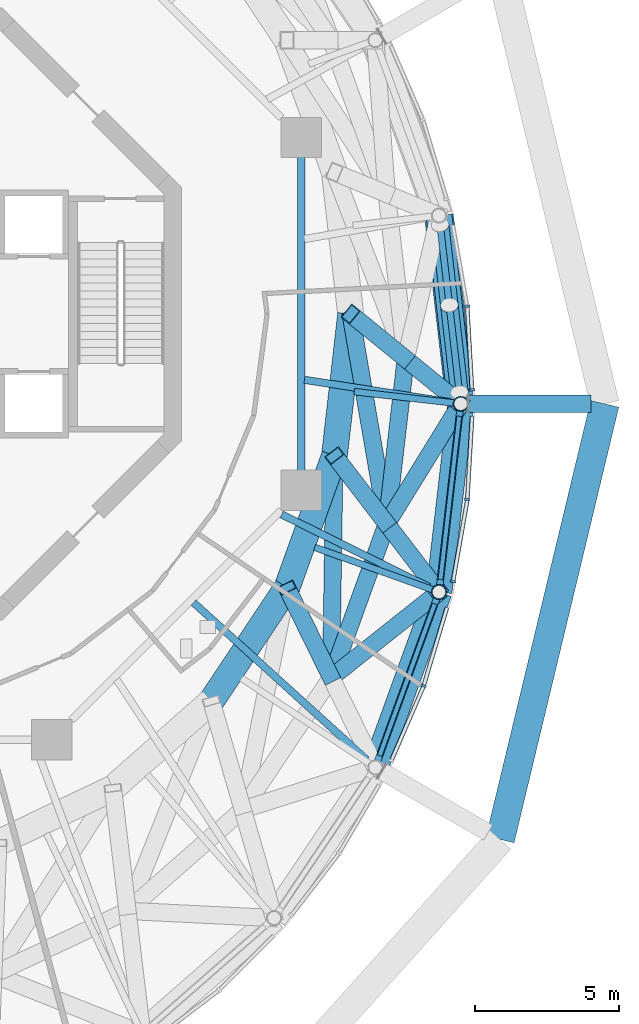
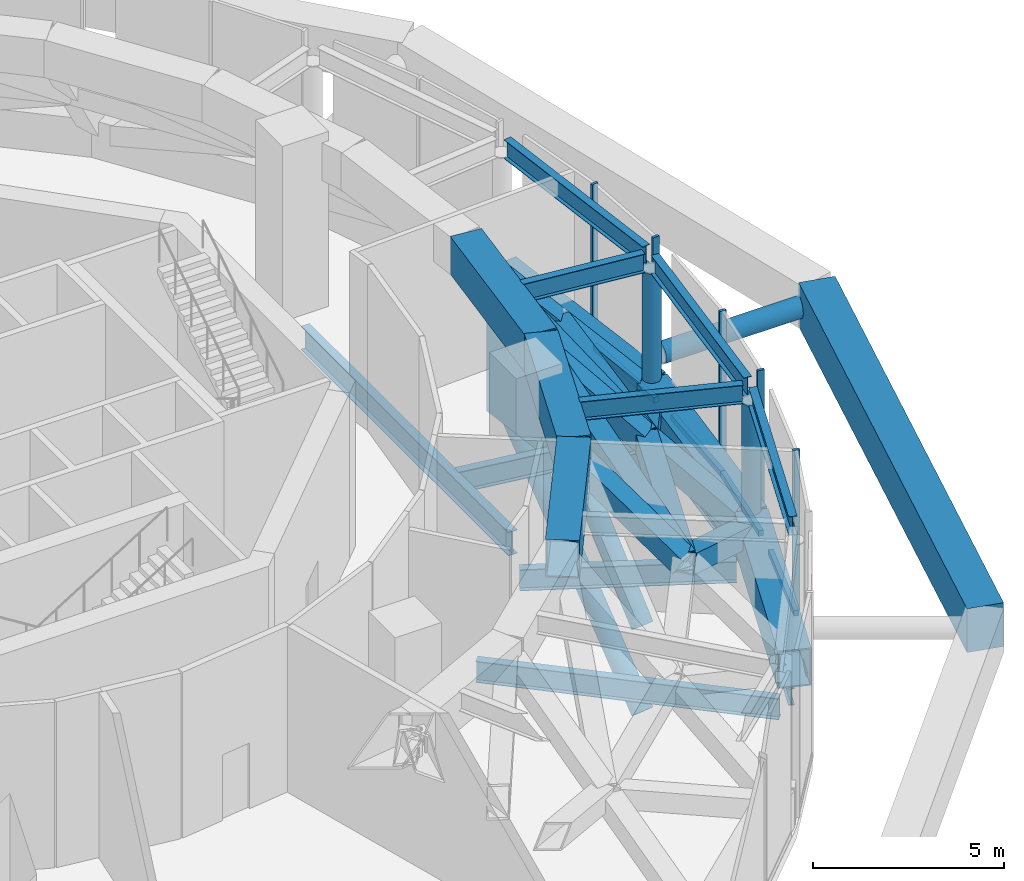
# One storey, part 6 of 22: 29 beams, 16 members, 6 elements without a shape of their own.
"""IFC4 building model written with IfcOpenShell, lengths in metres."""

from ifc_helpers import new_model, si_unit, direction, frame, origin, origin_2d, place, context, subcontext, project, spatial, rectangle, hollow_rectangle, hollow_circle, i_section, extrude, material, layer, layer_set, material_profile, profile_set, type_object, element, aggregate, save


model = new_model("IFC4")

# Units and contexts
model_context = context("Model", 3, precision=1e-05, world=origin(), true_north=direction((0.0, 1.0)))
body_context = subcontext(model_context, "Body", "Model", "MODEL_VIEW")
ifc_project = project(units=[si_unit("LENGTHUNIT", "METRE"), si_unit("AREAUNIT", "SQUARE_METRE"), si_unit("VOLUMEUNIT", "CUBIC_METRE"), si_unit("PLANEANGLEUNIT", "RADIAN"), si_unit("MASSUNIT", "GRAM", prefix="KILO")], contexts=[model_context])

# Site, building, storey
site_placement = place(None, origin())
site = spatial("IfcSite", under=ifc_project, at=site_placement, CompositionType="ELEMENT")
building_placement = place(site_placement, origin())
building = spatial("IfcBuilding", under=site, at=building_placement, Name="Nagisa Residences", CompositionType="ELEMENT")
storey_placement = place(building_placement, frame((0.0, 0.0, 310.300048828125)))
storey = spatial("IfcBuildingStorey", under=building, at=storey_placement, Name="L77", CompositionType="ELEMENT", Elevation=310.300048828125)

# Beams
ifc_material_1 = material(Name="Steel ASTM A572 Gr 50", Category="steel")
ifc_material_profile_1 = material_profile(ifc_material_1, hollow_rectangle(XDim=0.60009765625, YDim=0.60009765625, WallThickness=0.034912109375, at=origin_2d()), Name="BX 600x600x35")
ifc_profile_set_1 = profile_set([ifc_material_profile_1], Name="Steel ASTM A572 Gr 50")
beam_type_1 = type_object("IfcBeamType", Name="Belt chord 6 BX 600x600x35", PredefinedType="BEAM", material=ifc_profile_set_1)
beam_1_placement = place(storey_placement, frame((15.822998046875, -12.618896484375, 2.64990234375), z_axis=(0.340025147767, 0.940416343375, 0.0), x_axis=(-0.940416343375, 0.340025147767, 0.0)))
element("IfcBeam", 1, at=beam_1_placement, inside=storey, type_object=beam_type_1, Name="beam:L77:bt6m23", PredefinedType="BEAM", context=body_context, shape_type="SweptSolid", body=[
    extrude(hollow_rectangle(XDim=0.60009765625, YDim=0.60009765625, WallThickness=0.034912109375, at=origin_2d()), origin(), (0.0, 0.0, 1.0), 5.673095703125),
])
beam_2_placement = place(storey_placement, frame((17.751953125, -7.283935546875, 2.64990234375), z_axis=(0.114173851429, 0.99346078516, 0.0), x_axis=(-0.99346078516, 0.114173851429, 0.0)))
element("IfcBeam", 2, at=beam_2_placement, inside=storey, type_object=beam_type_1, Name="beam:L77:bt6m24", PredefinedType="BEAM", context=body_context, shape_type="SweptSolid", body=[
    extrude(hollow_rectangle(XDim=0.60009765625, YDim=0.60009765625, WallThickness=0.034912109375, at=origin_2d()), origin(), (0.0, 0.0, 1.0), 5.7626953125),
])
ifc_material_2 = material(Name="Steel ASTM A572 Gr 50", Category="steel")
ifc_material_profile_2 = material_profile(ifc_material_2, hollow_rectangle(XDim=0.89990234375, YDim=1.199951171875, WallThickness=0.0400390625, at=origin_2d()), Name="BX 900x1200x40")
ifc_profile_set_2 = profile_set([ifc_material_profile_2], Name="Steel ASTM A572 Gr 50")
beam_type_2 = type_object("IfcBeamType", Name="Belt chord 6 BX 900x1200x40", PredefinedType="BEAM", material=ifc_profile_set_2)
beam_3_placement = place(storey_placement, frame((20.320068359375, -3.11767578125, 0.599853515625), z_axis=(-0.114648064328, 0.993406171385, 0.0), x_axis=(-0.993406171385, -0.114648064328, 0.0)))
element("IfcBeam", 3, at=beam_3_placement, inside=storey, type_object=beam_type_2, Name="beam:L77:bt6b01", PredefinedType="BEAM", context=body_context, shape_type="SweptSolid", body=[
    extrude(hollow_rectangle(XDim=0.89990234375, YDim=1.199951171875, WallThickness=0.0400390625, at=origin_2d()), origin(), (0.0, 0.0, 1.0), 6.575927734375),
])
beam_4_placement = place(storey_placement, frame((11.667236328125, -13.43505859375, 4.699951171875), z_axis=(0.554509546669, 0.832177362497, 0.0), x_axis=(-0.832177362497, 0.554509546669, 0.0)))
element("IfcBeam", 4, at=beam_4_placement, inside=storey, type_object=beam_type_2, Name="beam:L77:bt6t22", PredefinedType="BEAM", context=body_context, shape_type="SweptSolid", body=[
    extrude(hollow_rectangle(XDim=0.89990234375, YDim=1.199951171875, WallThickness=0.0400390625, at=origin_2d()), origin(), (0.0, 0.0, 1.0), 4.728515625),
])
beam_5_placement = place(storey_placement, frame((17.3564453125, -15.73779296875, 0.599853515625), z_axis=(0.341213297121, 0.939985896632, 0.0), x_axis=(-0.939985896632, 0.341213297121, 0.0)))
element("IfcBeam", 5, at=beam_5_placement, inside=storey, type_object=beam_type_2, Name="beam:L77:bt6b23", PredefinedType="BEAM", context=body_context, shape_type="SweptSolid", body=[
    extrude(hollow_rectangle(XDim=0.89990234375, YDim=1.199951171875, WallThickness=0.0400390625, at=origin_2d()), origin(), (0.0, 0.0, 1.0), 6.47607421875),
])
beam_6_placement = place(storey_placement, frame((14.289306640625, -9.5, 4.699951171875), z_axis=(0.338488682224, 0.940970462877, 0.0), x_axis=(-0.940970462877, 0.338488682224, 0.0)))
element("IfcBeam", 6, at=beam_6_placement, inside=storey, type_object=beam_type_2, Name="beam:L77:bt6t23", PredefinedType="BEAM", context=body_context, shape_type="SweptSolid", body=[
    extrude(hollow_rectangle(XDim=0.89990234375, YDim=1.199951171875, WallThickness=0.0400390625, at=origin_2d()), origin(), (0.0, 0.0, 1.0), 4.869873046875),
])
beam_7_placement = place(storey_placement, frame((19.566162109375, -9.650390625, 0.599853515625), z_axis=(0.114643836016, 0.993406659361, 0.0), x_axis=(-0.993406659361, 0.114643836016, 0.0)))
element("IfcBeam", 7, at=beam_7_placement, inside=storey, type_object=beam_type_2, Name="beam:L77:bt6b24", PredefinedType="BEAM", context=body_context, shape_type="SweptSolid", body=[
    extrude(hollow_rectangle(XDim=0.89990234375, YDim=1.199951171875, WallThickness=0.0400390625, at=origin_2d()), origin(), (0.0, 0.0, 1.0), 6.576171875),
])
beam_8_placement = place(storey_placement, frame((15.937744140625, -4.91748046875, 4.699951171875), z_axis=(0.113598063475, 0.993526788756, 0.0), x_axis=(-0.993526788756, 0.113598063475, 0.0)))
element("IfcBeam", 8, at=beam_8_placement, inside=storey, type_object=beam_type_2, Name="beam:L77:bt6t24", PredefinedType="BEAM", context=body_context, shape_type="SweptSolid", body=[
    extrude(hollow_rectangle(XDim=0.89990234375, YDim=1.199951171875, WallThickness=0.0400390625, at=origin_2d()), origin(), (0.0, 0.0, 1.0), 4.949462890625),
])
ifc_material_3 = material(Name="Steel ASTM A572 Gr 50", Category="steel")
ifc_material_profile_3 = material_profile(ifc_material_3, hollow_rectangle(XDim=0.60009765625, YDim=0.60009765625, WallThickness=0.034912109375, at=origin_2d()), Name="BX 600x600x35")
ifc_profile_set_3 = profile_set([ifc_material_profile_3], Name="Steel ASTM A572 Gr 50")
beam_type_3 = type_object("IfcBeamType", Name="Belt diagonal 6 BX 600x600x35", PredefinedType="BEAM", material=ifc_profile_set_3)
beam_9_placement = place(storey_placement, frame((20.320068359375, -3.11767578125, 0.599853515625), z_axis=(-0.595721594432, 0.486155723472, 0.639349978073), x_axis=(-0.632261273811, -0.774755239827, 0.0)))
element("IfcBeam", 9, at=beam_9_placement, inside=storey, type_object=beam_type_3, Name="beam:L77:bt6la01", PredefinedType="BEAM", context=body_context, shape_type="SweptSolid", body=[
    extrude(hollow_rectangle(XDim=0.60009765625, YDim=0.60009765625, WallThickness=0.034912109375, at=origin_2d()), origin(), (0.0, 0.0, 1.0), 3.20654296875),
])
beam_10_placement = place(storey_placement, frame((18.409912109375, -1.558837890625, 2.64990234375), z_axis=(-0.59567247179, 0.486177774815, 0.639378978093), x_axis=(-0.632309782441, -0.774715650436, 0.0)))
element("IfcBeam", 10, at=beam_10_placement, inside=storey, type_object=beam_type_3, Name="beam:L77:bt6ua01", PredefinedType="BEAM", context=body_context, shape_type="SweptSolid", body=[
    extrude(hollow_rectangle(XDim=0.60009765625, YDim=0.60009765625, WallThickness=0.034912109375, at=origin_2d()), origin(), (0.0, 0.0, 1.0), 3.206298828125),
])
beam_11_placement = place(storey_placement, frame((19.566162109375, -9.650390625, 0.599853515625), z_axis=(-0.720025605038, -0.571014305482, 0.39434222577), x_axis=(0.6213676668, -0.783519127179, 0.0)))
element("IfcBeam", 11, at=beam_11_placement, inside=storey, type_object=beam_type_3, Name="beam:L77:bt6lb23", PredefinedType="BEAM", context=body_context, shape_type="SweptSolid", body=[
    extrude(hollow_rectangle(XDim=0.60009765625, YDim=0.60009765625, WallThickness=0.034912109375, at=origin_2d()), origin(), (0.0, 0.0, 1.0), 5.19873046875),
])
beam_12_placement = place(storey_placement, frame((15.822998046875, -12.618896484375, 2.64990234375), z_axis=(-0.380082998374, 0.772932235629, 0.508047904703), x_axis=(-0.897371854629, -0.441275146049, 0.0)))
element("IfcBeam", 12, at=beam_12_placement, inside=storey, type_object=beam_type_3, Name="beam:L77:bt6ua23", PredefinedType="BEAM", context=body_context, shape_type="SweptSolid", body=[
    extrude(hollow_rectangle(XDim=0.60009765625, YDim=0.60009765625, WallThickness=0.034912109375, at=origin_2d()), origin(), (0.0, 0.0, 1.0), 4.03515625),
])
beam_13_placement = place(storey_placement, frame((15.822998046875, -12.618896484375, 2.64990234375), z_axis=(0.014396483626, 0.966249097807, 0.257206963838), x_axis=(-0.999889023159, 0.014897696652, 0.0)))
element("IfcBeam", 13, at=beam_13_placement, inside=storey, type_object=beam_type_3, Name="beam:L77:bt6ub23", PredefinedType="BEAM", context=body_context, shape_type="SweptSolid", body=[
    extrude(hollow_rectangle(XDim=0.60009765625, YDim=0.60009765625, WallThickness=0.034912109375, at=origin_2d()), origin(), (0.0, 0.0, 1.0), 7.970458984375),
])
beam_14_placement = place(storey_placement, frame((19.566162109375, -9.650390625, 0.599853515625), z_axis=(-0.501358548223, 0.653972333189, 0.566533135436), x_axis=(-0.793618221328, -0.608416073732, 0.0)))
element("IfcBeam", 14, at=beam_14_placement, inside=storey, type_object=beam_type_3, Name="beam:L77:bt6la24", PredefinedType="BEAM", context=body_context, shape_type="SweptSolid", body=[
    extrude(hollow_rectangle(XDim=0.60009765625, YDim=0.60009765625, WallThickness=0.034912109375, at=origin_2d()), origin(), (0.0, 0.0, 1.0), 3.61865234375),
])
beam_15_placement = place(storey_placement, frame((20.320068359375, -3.11767578125, 0.599853515625), z_axis=(-0.483984922546, -0.785169949923, 0.386350546118), x_axis=(0.851269287429, -0.524729073218, 0.0)))
element("IfcBeam", 15, at=beam_15_placement, inside=storey, type_object=beam_type_3, Name="beam:L77:bt6lb24", PredefinedType="BEAM", context=body_context, shape_type="SweptSolid", body=[
    extrude(hollow_rectangle(XDim=0.60009765625, YDim=0.60009765625, WallThickness=0.034912109375, at=origin_2d()), origin(), (0.0, 0.0, 1.0), 5.30615234375),
])
beam_16_placement = place(storey_placement, frame((17.751953125, -7.283935546875, 2.64990234375), z_axis=(-0.501358548223, 0.653972333189, 0.566533135436), x_axis=(-0.793618221328, -0.608416073732, 0.0)))
element("IfcBeam", 16, at=beam_16_placement, inside=storey, type_object=beam_type_3, Name="beam:L77:bt6ua24", PredefinedType="BEAM", context=body_context, shape_type="SweptSolid", body=[
    extrude(hollow_rectangle(XDim=0.60009765625, YDim=0.60009765625, WallThickness=0.034912109375, at=origin_2d()), origin(), (0.0, 0.0, 1.0), 3.61865234375),
])
beam_17_placement = place(storey_placement, frame((17.751953125, -7.283935546875, 2.64990234375), z_axis=(-0.163231560758, 0.949690642591, 0.267288497598), x_axis=(-0.985548287585, -0.169394724945, 0.0)))
element("IfcBeam", 17, at=beam_17_placement, inside=storey, type_object=beam_type_3, Name="beam:L77:bt6ub24", PredefinedType="BEAM", context=body_context, shape_type="SweptSolid", body=[
    extrude(hollow_rectangle(XDim=0.60009765625, YDim=0.60009765625, WallThickness=0.034912109375, at=origin_2d()), origin(), (0.0, 0.0, 1.0), 7.669677734375),
])

# Curtain wall, member
ifc_material_4 = material(Name="Aluminium curtain wall system", Category="aluminium")
ifc_layer = layer(ifc_material_4, 0.159912109375)
ifc_layer_set = layer_set([ifc_layer], Name="CW2 CURTAIN WALL")
curtain_wall_type = type_object("IfcCurtainWallType", Name="CW2 CURTAIN WALL", PredefinedType="NOTDEFINED", material=ifc_layer_set)
curtain_wall_1_placement = place(storey_placement, origin())
curtain_wall_1 = element("IfcCurtainWall", 18, at=curtain_wall_1_placement, inside=storey, type_object=curtain_wall_type, Name="cw:CW2:L77:00", PredefinedType="NOTDEFINED")
ifc_material_5 = material(Name="Aluminium", Category="aluminium")
ifc_material_profile_4 = material_profile(ifc_material_5, rectangle(XDim=0.199951171875, YDim=0.080078125, at=origin_2d()), Name="CW2 MULLION 200x80")
ifc_profile_set_4 = profile_set([ifc_material_profile_4], Name="Aluminium")
member_type_1 = type_object("IfcMemberType", Name="CW2 MULLION 200x80", PredefinedType="MULLION", material=ifc_profile_set_4)
member_1_placement = place(storey_placement, frame((20.7119140625, -2.633056640625, 0.0), z_axis=(0.0, 0.0, 1.0), x_axis=(-0.998345305184, -0.057503492216, 0.0)))
member_1 = element("IfcMember", 19, at=member_1_placement, type_object=member_type_1, Name="CW2 mullion", PredefinedType="MULLION", context=body_context, shape_type="SweptSolid", body=[
    extrude(rectangle(XDim=0.199951171875, YDim=0.080078125, at=origin_2d()), origin(), (0.0, 0.0, 1.0), 5.300048828125),
])

curtain_wall_2_placement = place(storey_placement, origin())
curtain_wall_2 = element("IfcCurtainWall", 20, at=curtain_wall_2_placement, inside=storey, type_object=curtain_wall_type, Name="cw:CW2:L77:01", PredefinedType="NOTDEFINED")
member_2_placement = place(storey_placement, frame((20.540771484375, 0.267578125, 0.0), z_axis=(0.0, 0.0, 1.0), x_axis=(-0.985063604377, -0.172190868898, 0.0)))
member_2 = element("IfcMember", 21, at=member_2_placement, type_object=member_type_1, Name="CW2 mullion", PredefinedType="MULLION", context=body_context, shape_type="SweptSolid", body=[
    extrude(rectangle(XDim=0.199951171875, YDim=0.080078125, at=origin_2d()), origin(), (0.0, 0.0, 1.0), 5.300048828125),
])
aggregate(curtain_wall_2, [member_2])

curtain_wall_3_placement = place(storey_placement, origin())
curtain_wall_3 = element("IfcCurtainWall", 22, at=curtain_wall_3_placement, inside=storey, type_object=curtain_wall_type, Name="cw:CW2:L77:45", PredefinedType="NOTDEFINED")
member_3_placement = place(storey_placement, frame((19.032958984375, -12.90673828125, 0.0), z_axis=(0.0, 0.0, 1.0), x_axis=(-0.958271310082, 0.285860274038, 0.0)))
member_3 = element("IfcMember", 23, at=member_3_placement, type_object=member_type_1, Name="CW2 mullion", PredefinedType="MULLION", context=body_context, shape_type="SweptSolid", body=[
    extrude(rectangle(XDim=0.199951171875, YDim=0.080078125, at=origin_2d()), origin(), (0.0, 0.0, 1.0), 5.300048828125),
])

curtain_wall_4_placement = place(storey_placement, origin())
curtain_wall_4 = element("IfcCurtainWall", 24, at=curtain_wall_4_placement, inside=storey, type_object=curtain_wall_type, Name="cw:CW2:L77:46", PredefinedType="NOTDEFINED")
member_4_placement = place(storey_placement, frame((20.054931640625, -9.283203125, 0.0), z_axis=(0.0, 0.0, 1.0), x_axis=(-0.985063604377, 0.172190868898, 0.0)))
member_4 = element("IfcMember", 25, at=member_4_placement, type_object=member_type_1, Name="CW2 mullion", PredefinedType="MULLION", context=body_context, shape_type="SweptSolid", body=[
    extrude(rectangle(XDim=0.199951171875, YDim=0.080078125, at=origin_2d()), origin(), (0.0, 0.0, 1.0), 5.300048828125),
])

curtain_wall_5_placement = place(storey_placement, origin())
curtain_wall_5 = element("IfcCurtainWall", 26, at=curtain_wall_5_placement, inside=storey, type_object=curtain_wall_type, Name="cw:CW2:L77:47", PredefinedType="NOTDEFINED")
member_5_placement = place(storey_placement, frame((20.548828125, -6.432861328125, 0.0), z_axis=(0.0, 0.0, 1.0), x_axis=(-0.998345305184, 0.057503492216, 0.0)))
member_5 = element("IfcMember", 27, at=member_5_placement, type_object=member_type_1, Name="CW2 mullion", PredefinedType="MULLION", context=body_context, shape_type="SweptSolid", body=[
    extrude(rectangle(XDim=0.199951171875, YDim=0.080078125, at=origin_2d()), origin(), (0.0, 0.0, 1.0), 5.300048828125),
])

# Member
ifc_material_6 = material(Name="Aluminium", Category="aluminium")
ifc_material_profile_5 = material_profile(ifc_material_6, rectangle(XDim=0.139892578125, YDim=0.179931640625, at=origin_2d()), Name="CW2 TRANSOM 140x180")
ifc_profile_set_5 = profile_set([ifc_material_profile_5], Name="Aluminium")
member_type_2 = type_object("IfcMemberType", Name="CW2 TRANSOM 140x180", PredefinedType="USERDEFINED", material=ifc_profile_set_5)
member_6_placement = place(storey_placement, frame((20.71435546875, -2.673095703125, 0.08984375), z_axis=(-0.057529123486, 0.998343828524, 0.0), x_axis=(-0.998343828524, -0.057529123486, 0.0)))
member_6 = element("IfcMember", 28, at=member_6_placement, type_object=member_type_2, Name="CW2 transom", ObjectType="TRANSOM", PredefinedType="USERDEFINED", context=body_context, shape_type="SweptSolid", body=[
    extrude(rectangle(XDim=0.139892578125, YDim=0.179931640625, at=origin_2d()), origin(), (0.0, 0.0, 1.0), 2.91552734375),
])

aggregate(curtain_wall_1, [member_1, member_6])

# Curtain wall, member
curtain_wall_6_placement = place(storey_placement, origin())
curtain_wall_6 = element("IfcCurtainWall", 29, at=curtain_wall_6_placement, inside=storey, type_object=curtain_wall_type, Name="cw:CW2:L77:44", PredefinedType="NOTDEFINED")
member_7_placement = place(storey_placement, frame((17.89501953125, -15.54296875, 0.08984375), z_axis=(0.397597791596, 0.9175598052, 0.0), x_axis=(-0.9175598052, 0.397597791596, 0.0)))
member_7 = element("IfcMember", 30, at=member_7_placement, type_object=member_type_2, Name="CW2 transom", ObjectType="TRANSOM", PredefinedType="USERDEFINED", context=body_context, shape_type="SweptSolid", body=[
    extrude(rectangle(XDim=0.139892578125, YDim=0.179931640625, at=origin_2d()), origin(), (0.0, 0.0, 1.0), 2.841064453125),
])
aggregate(curtain_wall_6, [member_7])

# Member
member_8_placement = place(storey_placement, frame((19.021484375, -12.945068359375, 0.08984375), z_axis=(0.285876209024, 0.9582665564, 0.0), x_axis=(-0.9582665564, 0.285876209024, 0.0)))
member_8 = element("IfcMember", 31, at=member_8_placement, type_object=member_type_2, Name="CW2 transom", ObjectType="TRANSOM", PredefinedType="USERDEFINED", context=body_context, shape_type="SweptSolid", body=[
    extrude(rectangle(XDim=0.139892578125, YDim=0.179931640625, at=origin_2d()), origin(), (0.0, 0.0, 1.0), 2.877197265625),
])

aggregate(curtain_wall_3, [member_3, member_8])

member_9_placement = place(storey_placement, frame((20.0478515625, -9.32275390625, 0.08984375), z_axis=(0.172182411767, 0.985065082661, 0.0), x_axis=(-0.985065082661, 0.172182411767, 0.0)))
member_9 = element("IfcMember", 32, at=member_9_placement, type_object=member_type_2, Name="CW2 transom", ObjectType="TRANSOM", PredefinedType="USERDEFINED", context=body_context, shape_type="SweptSolid", body=[
    extrude(rectangle(XDim=0.139892578125, YDim=0.179931640625, at=origin_2d()), origin(), (0.0, 0.0, 1.0), 2.902587890625),
])

aggregate(curtain_wall_4, [member_4, member_9])

member_10_placement = place(storey_placement, frame((20.546630859375, -6.472900390625, 0.08984375), z_axis=(0.057529123486, 0.998343828524, 0.0), x_axis=(-0.998343828524, 0.057529123486, 0.0)))
member_10 = element("IfcMember", 33, at=member_10_placement, type_object=member_type_2, Name="CW2 transom", ObjectType="TRANSOM", PredefinedType="USERDEFINED", context=body_context, shape_type="SweptSolid", body=[
    extrude(rectangle(XDim=0.139892578125, YDim=0.179931640625, at=origin_2d()), origin(), (0.0, 0.0, 1.0), 2.91552734375),
])

aggregate(curtain_wall_5, [member_5, member_10])

# Members
ifc_material_7 = material(Name="Concrete C80", Category="concrete")
ifc_material_profile_6 = material_profile(ifc_material_7, rectangle(XDim=1.0, YDim=1.39990234375, at=origin_2d()), Name="C80 1000x1400")
ifc_profile_set_6 = profile_set([ifc_material_profile_6], Name="Concrete C80")
member_type_3 = type_object("IfcMemberType", Name="Cage ring 6 C80 1000x1400", PredefinedType="CHORD", material=ifc_profile_set_6)
member_11_placement = place(storey_placement, frame((21.6865234375, -18.23779296875, 1.89990234375), z_axis=(0.233659742288, 0.972318427694, 0.0), x_axis=(-0.972318427694, 0.233659742288, 0.0)))
element("IfcMember", 34, at=member_11_placement, inside=storey, type_object=member_type_3, Name="beam:L77:cg6r112", PredefinedType="CHORD", context=body_context, shape_type="SweptSolid", body=[
    extrude(rectangle(XDim=1.0, YDim=1.39990234375, at=origin_2d()), origin(), (0.0, 0.0, 1.0), 15.550537109375),
])
ifc_material_8 = material(Name="Steel ASTM A572 Gr 65", Category="steel")
ifc_material_profile_7 = material_profile(ifc_material_8, hollow_circle(Radius=0.304931640625, WallThickness=0.02490234375, at=origin_2d()), Name="CHS 610x25")
ifc_profile_set_7 = profile_set([ifc_material_profile_7], Name="Steel ASTM A572 Gr 65")
member_type_4 = type_object("IfcMemberType", Name="Cage strut CHS 610x25", PredefinedType="STRUT", material=ifc_profile_set_7)
member_12_placement = place(storey_placement, frame((24.840087890625, -3.11767578125, 1.89990234375), z_axis=(-1.0, 0.0, 0.0), x_axis=(0.0, -1.0, 0.0)))
element("IfcMember", 35, at=member_12_placement, inside=storey, type_object=member_type_4, Name="mem:L77:cg6tie01", PredefinedType="STRUT", context=body_context, shape_type="SweptSolid", body=[
    extrude(hollow_circle(Radius=0.304931640625, WallThickness=0.02490234375, at=origin_2d()), origin(), (0.0, 0.0, 1.0), 4.24609375),
])

# Beams
ifc_material_9 = material(Name="Steel ASTM A572 Gr 50", Category="steel")
ifc_material_profile_8 = material_profile(ifc_material_9, i_section(OverallWidth=0.22802734375, OverallDepth=0.60302734375, WebThickness=0.010498046875, FlangeThickness=0.014892578125, at=origin_2d()), Name="W610x101")
ifc_profile_set_8 = profile_set([ifc_material_profile_8], Name="Steel ASTM A572 Gr 50")
beam_type_4 = type_object("IfcBeamType", Name="Garden edge beam W610x101", PredefinedType="BEAM", material=ifc_profile_set_8)
beam_18_placement = place(storey_placement, frame((20.293212890625, -2.88525390625, 4.99853515625), z_axis=(-0.114637762413, 0.993407360265, 0.0), x_axis=(-0.993407360265, -0.114637762413, 0.0)))
element("IfcBeam", 36, at=beam_18_placement, inside=storey, type_object=beam_type_4, Name="beam:L77:bt6ge01", PredefinedType="BEAM", context=body_context, shape_type="SweptSolid", body=[
    extrude(i_section(OverallWidth=0.22802734375, OverallDepth=0.60302734375, WebThickness=0.010498046875, FlangeThickness=0.014892578125, at=origin_2d()), origin(), (0.0, 0.0, 1.0), 6.10791015625),
])
beam_19_placement = place(storey_placement, frame((17.436279296875, -15.517822265625, 4.99853515625), z_axis=(0.341217712113, 0.939984293986, 0.0), x_axis=(-0.939984293986, 0.341217712113, 0.0)))
element("IfcBeam", 37, at=beam_19_placement, inside=storey, type_object=beam_type_4, Name="beam:L77:bt6ge23", PredefinedType="BEAM", context=body_context, shape_type="SweptSolid", body=[
    extrude(i_section(OverallWidth=0.22802734375, OverallDepth=0.60302734375, WebThickness=0.010498046875, FlangeThickness=0.014892578125, at=origin_2d()), origin(), (0.0, 0.0, 1.0), 6.008056640625),
])
beam_20_placement = place(storey_placement, frame((19.593017578125, -9.417724609375, 4.99853515625), z_axis=(0.114637762413, 0.993407360265, 0.0), x_axis=(-0.993407360265, 0.114637762413, 0.0)))
element("IfcBeam", 38, at=beam_20_placement, inside=storey, type_object=beam_type_4, Name="beam:L77:bt6ge24", PredefinedType="BEAM", context=body_context, shape_type="SweptSolid", body=[
    extrude(i_section(OverallWidth=0.22802734375, OverallDepth=0.60302734375, WebThickness=0.010498046875, FlangeThickness=0.014892578125, at=origin_2d()), origin(), (0.0, 0.0, 1.0), 6.10791015625),
])

# Members
ifc_material_10 = material(Name="Steel ASTM A572 Gr 65", Category="steel")
ifc_material_profile_9 = material_profile(ifc_material_10, hollow_circle(Radius=0.25390625, WallThickness=0.02001953125, at=origin_2d()), Name="CHS 508x20")
ifc_profile_set_9 = profile_set([ifc_material_profile_9], Name="Steel ASTM A572 Gr 65")
member_type_5 = type_object("IfcMemberType", Name="Garden edge post CHS 508x20", PredefinedType="POST", material=ifc_profile_set_9)
for number, where, z_axis, x_axis, name in (
    (39, (20.320068359375, -3.11767578125, 1.199951171875), (0.0, 0.0, 1.0), (1.0, 0.0, 0.0), "mem:L77:gp601"),
    (40, (19.566162109375, -9.650390625, 1.199951171875), (0.0, 0.0, 1.0), (1.0, 0.0, 0.0), "mem:L77:gp624"),
):
    element("IfcMember", number, at=place(storey_placement, frame(where, z_axis=z_axis, x_axis=x_axis)), inside=storey, type_object=member_type_5, Name=name, PredefinedType="POST", context=body_context, shape_type="SweptSolid", body=[
        extrude(hollow_circle(Radius=0.25390625, WallThickness=0.02001953125, at=origin_2d()), origin(), (0.0, 0.0, 1.0), 3.4970703125),
    ])

# Beams
ifc_material_11 = material(Name="Steel ASTM A572 Gr 50", Category="steel")
ifc_material_profile_10 = material_profile(ifc_material_11, i_section(OverallWidth=0.22802734375, OverallDepth=0.60302734375, WebThickness=0.010498046875, FlangeThickness=0.014892578125, at=origin_2d()), Name="W610x101")
ifc_profile_set_10 = profile_set([ifc_material_profile_10], Name="Steel ASTM A572 Gr 50")
beam_type_5 = type_object("IfcBeamType", Name="Garden radial beam W610x101", PredefinedType="BEAM", material=ifc_profile_set_10)
beam_21_placement = place(storey_placement, frame((20.08740234375, -3.091064453125, 4.99853515625), z_axis=(-0.993531995273, 0.113552518109, 0.0), x_axis=(-0.113552518109, -0.993531995273, 0.0)))
element("IfcBeam", 41, at=beam_21_placement, inside=storey, type_object=beam_type_5, Name="beam:L77:bt6gr01", PredefinedType="BEAM", context=body_context, shape_type="SweptSolid", body=[
    extrude(i_section(OverallWidth=0.22802734375, OverallDepth=0.60302734375, WebThickness=0.010498046875, FlangeThickness=0.014892578125, at=origin_2d()), origin(), (0.0, 0.0, 1.0), 3.485107421875),
])
beam_22_placement = place(storey_placement, frame((19.34619140625, -9.571044921875, 4.99853515625), z_axis=(-0.940976764015, 0.338471165071, 0.0), x_axis=(-0.338471165071, -0.940976764015, 0.0)))
element("IfcBeam", 42, at=beam_22_placement, inside=storey, type_object=beam_type_5, Name="beam:L77:bt6gr24", PredefinedType="BEAM", context=body_context, shape_type="SweptSolid", body=[
    extrude(i_section(OverallWidth=0.22802734375, OverallDepth=0.60302734375, WebThickness=0.010498046875, FlangeThickness=0.014892578125, at=origin_2d()), origin(), (0.0, 0.0, 1.0), 4.352294921875),
])
ifc_material_12 = material(Name="Steel ASTM A572 Gr 50", Category="steel")
ifc_material_profile_11 = material_profile(ifc_material_12, i_section(OverallWidth=0.264892578125, OverallDepth=0.7529296875, WebThickness=0.01318359375, FlangeThickness=0.01708984375, at=origin_2d()), Name="W760x147")
ifc_profile_set_11 = profile_set([ifc_material_profile_11], Name="Steel ASTM A572 Gr 50")
beam_type_6 = type_object("IfcBeamType", Name="Inner ring beam W760x147", PredefinedType="BEAM", material=ifc_profile_set_11)
beam_23_placement = place(storey_placement, frame((14.781982421875, -5.44287109375, -0.7265625), z_axis=(0.0, 1.0, 0.0), x_axis=(-1.0, 0.0, 0.0)))
element("IfcBeam", 43, at=beam_23_placement, inside=storey, type_object=beam_type_6, Name="beam:L77:ib8", PredefinedType="BEAM", context=body_context, shape_type="SweptSolid", body=[
    extrude(i_section(OverallWidth=0.264892578125, OverallDepth=0.7529296875, WebThickness=0.01318359375, FlangeThickness=0.01708984375, at=origin_2d()), origin(), (0.0, 0.0, 1.0), 10.8857421875),
])
ifc_material_13 = material(Name="Steel ASTM A572 Gr 50", Category="steel")
ifc_material_profile_12 = material_profile(ifc_material_13, i_section(OverallWidth=0.166015625, OverallDepth=0.534912109375, WebThickness=0.01025390625, FlangeThickness=0.0166015625, at=origin_2d()), Name="W530x85")
ifc_profile_set_12 = profile_set([ifc_material_profile_12], Name="Steel ASTM A572 Gr 50")
beam_type_7 = type_object("IfcBeamType", Name="Perimeter ring beam W530x85", PredefinedType="BEAM", material=ifc_profile_set_12)
beam_24_placement = place(storey_placement, frame((17.50439453125, -15.330322265625, -0.617431640625), z_axis=(0.341211850477, 0.93998642176, 0.0), x_axis=(-0.93998642176, 0.341211850477, 0.0)))
element("IfcBeam", 44, at=beam_24_placement, inside=storey, type_object=beam_type_7, Name="beam:L77:pb23", PredefinedType="BEAM", context=body_context, shape_type="SweptSolid", body=[
    extrude(i_section(OverallWidth=0.166015625, OverallDepth=0.534912109375, WebThickness=0.01025390625, FlangeThickness=0.0166015625, at=origin_2d()), origin(), (0.0, 0.0, 1.0), 5.609619140625),
])
beam_25_placement = place(storey_placement, frame((19.615966796875, -9.219970703125, -0.617431640625), z_axis=(0.114593271741, 0.993412493414, 0.0), x_axis=(-0.993412493414, 0.114593271741, 0.0)))
element("IfcBeam", 45, at=beam_25_placement, inside=storey, type_object=beam_type_7, Name="beam:L77:pb24", PredefinedType="BEAM", context=body_context, shape_type="SweptSolid", body=[
    extrude(i_section(OverallWidth=0.166015625, OverallDepth=0.534912109375, WebThickness=0.01025390625, FlangeThickness=0.0166015625, at=origin_2d()), origin(), (0.0, 0.0, 1.0), 5.709716796875),
])

# Members
ifc_material_14 = material(Name="Steel ASTM A572 Gr 65", Category="steel")
ifc_material_profile_13 = material_profile(ifc_material_14, hollow_circle(Radius=0.304931640625, WallThickness=0.02490234375, at=origin_2d()), Name="CHS 610x25")
ifc_profile_set_13 = profile_set([ifc_material_profile_13], Name="Steel ASTM A572 Gr 65")
member_type_6 = type_object("IfcMemberType", Name="Portal knee brace CHS 610x25", PredefinedType="BRACE", material=ifc_profile_set_13)
member_13_placement = place(storey_placement, frame((20.274169921875, -2.72021484375, -6.949951171875), z_axis=(-0.073616756045, 0.637994653333, 0.76651379345), x_axis=(-0.993408583327, -0.11462716333, 0.0)))
element("IfcMember", 46, at=member_13_placement, inside=storey, type_object=member_type_6, Name="mem:L77:portalknee3", PredefinedType="BRACE", context=body_context, shape_type="SweptSolid", body=[
    extrude(hollow_circle(Radius=0.304931640625, WallThickness=0.02490234375, at=origin_2d()), origin(), (0.0, 0.0, 1.0), 4.722412109375),
])
member_14_placement = place(storey_placement, frame((20.274169921875, -2.72021484375, -9.699951171875), z_axis=(-0.077422781553, 0.670884372905, 0.737509234578), x_axis=(-0.993406735965, -0.114643172234, 0.0)))
element("IfcMember", 47, at=member_14_placement, inside=storey, type_object=member_type_6, Name="mem:L77:portalknee4", PredefinedType="BRACE", context=body_context, shape_type="SweptSolid", body=[
    extrude(hollow_circle(Radius=0.304931640625, WallThickness=0.02490234375, at=origin_2d()), origin(), (0.0, 0.0, 1.0), 8.636962890625),
])

# Beams
ifc_material_15 = material(Name="Steel ASTM A572 Gr 50", Category="steel")
ifc_material_profile_14 = material_profile(ifc_material_15, hollow_rectangle(XDim=1.0, YDim=3.0, WallThickness=0.070068359375, at=origin_2d()), Name="BX 1000x3000x70")
ifc_profile_set_14 = profile_set([ifc_material_profile_14], Name="Steel ASTM A572 Gr 50")
beam_type_8 = type_object("IfcBeamType", Name="Portal lintel girder BX 1000x3000x70", PredefinedType="BEAM", material=ifc_profile_set_14)
beam_26_placement = place(storey_placement, frame((20.270263671875, -2.6875, -1.85009765625), z_axis=(-0.114622599442, 0.993409109933, 0.0), x_axis=(-0.993409109933, -0.114622599442, 0.0)))
element("IfcBeam", 48, at=beam_26_placement, inside=storey, type_object=beam_type_8, Name="beam:L77:pb01", PredefinedType="BEAM", context=body_context, shape_type="SweptSolid", body=[
    extrude(hollow_rectangle(XDim=1.0, YDim=3.0, WallThickness=0.070068359375, at=origin_2d()), origin(), (0.0, 0.0, 1.0), 6.142822265625),
])
ifc_material_16 = material(Name="Steel ASTM A572 Gr 50", Category="steel")
ifc_material_profile_15 = material_profile(ifc_material_16, i_section(OverallWidth=0.2529296875, OverallDepth=0.677978515625, WebThickness=0.01171875, FlangeThickness=0.016357421875, at=origin_2d()), Name="W690x125")
ifc_profile_set_15 = profile_set([ifc_material_profile_15], Name="Steel ASTM A572 Gr 50")
beam_type_9 = type_object("IfcBeamType", Name="Radial beam W690x125", PredefinedType="BEAM", material=ifc_profile_set_15)
beam_27_placement = place(storey_placement, frame((19.939697265625, -3.059326171875, -0.68896484375), z_axis=(-0.988436859636, 0.151633025796, 0.0), x_axis=(-0.151633025796, -0.988436859636, 0.0)))
element("IfcBeam", 49, at=beam_27_placement, inside=storey, type_object=beam_type_9, Name="beam:L77:rb01", PredefinedType="BEAM", context=body_context, shape_type="SweptSolid", body=[
    extrude(i_section(OverallWidth=0.2529296875, OverallDepth=0.677978515625, WebThickness=0.01171875, FlangeThickness=0.016357421875, at=origin_2d()), origin(), (0.0, 0.0, 1.0), 5.10400390625),
])
beam_28_placement = place(storey_placement, frame((17.064208984375, -15.47265625, -0.68896484375), z_axis=(-0.740800429034, 0.671725185134, 0.0), x_axis=(-0.671725185134, -0.740800429034, 0.0)))
element("IfcBeam", 50, at=beam_28_placement, inside=storey, type_object=beam_type_9, Name="beam:L77:rb23", PredefinedType="BEAM", context=body_context, shape_type="SweptSolid", body=[
    extrude(i_section(OverallWidth=0.2529296875, OverallDepth=0.677978515625, WebThickness=0.01171875, FlangeThickness=0.016357421875, at=origin_2d()), origin(), (0.0, 0.0, 1.0), 8.1220703125),
])
beam_29_placement = place(storey_placement, frame((19.216064453125, -9.4775390625, -0.68896484375), z_axis=(-0.896848509924, 0.442337823667, 0.0), x_axis=(-0.442337823667, -0.896848509924, 0.0)))
element("IfcBeam", 51, at=beam_29_placement, inside=storey, type_object=beam_type_9, Name="beam:L77:rb24", PredefinedType="BEAM", context=body_context, shape_type="SweptSolid", body=[
    extrude(i_section(OverallWidth=0.2529296875, OverallDepth=0.677978515625, WebThickness=0.01171875, FlangeThickness=0.016357421875, at=origin_2d()), origin(), (0.0, 0.0, 1.0), 5.696044921875),
])

save(model, "model.ifc")
